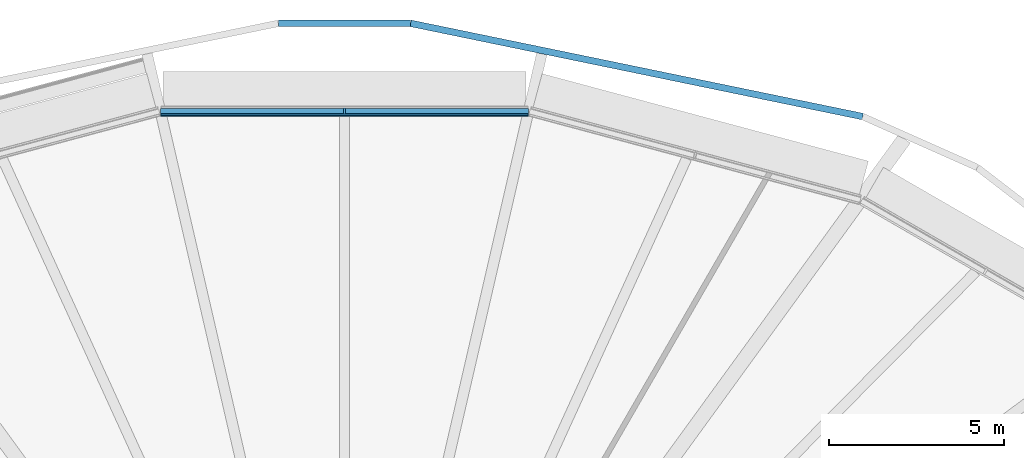
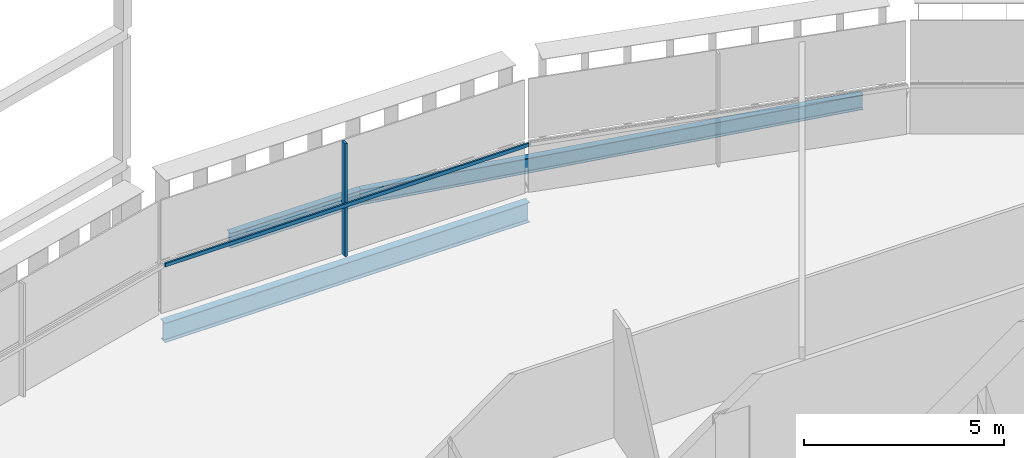
# One storey, part 7 of 20: 3 beams, 2 members, 1 element without a shape of its own.
"""IFC4 building model written with IfcOpenShell, lengths in metres."""

import ifcopenshell
import ifcopenshell.guid

model = None  # the IFC model being written
_history = None  # IfcOwnerHistory: only IFC2X3 demands one
_inside = {}  # id of a spatial element -> (the spatial element, [elements in it])
_under = {}  # id of a project, library or spatial element -> (it, [spatial elements below it])
_declared = {}  # id of a project -> (the project, [libraries it declares])
_typed = {}  # id of a type object -> (the type object, [elements of that type])
_made_of = {}  # id of a material, layer set ... -> (it, [elements and type objects made of it])


def new_model(schema):
    """Start an empty IFC model of exactly this schema.

    Asked for "IFC4X3", IfcOpenShell would pick the latest addendum, in which some entities
    have other attributes; the version numbers below select the first issue.
    IFC2X3 requires an IfcOwnerHistory on every rooted entity: one is made here for all.
    """
    global model, _history
    if schema == "IFC4X3":
        model = ifcopenshell.file(schema_version=(4, 3, 0, 0))
    else:
        model = ifcopenshell.file(schema=schema)
    _inside.clear()
    _under.clear()
    _declared.clear()
    _typed.clear()
    _made_of.clear()
    _history = None
    if model.schema == "IFC2X3":
        org = make("IfcOrganization", Name="unknown")
        user = make(
            "IfcPersonAndOrganization",
            ThePerson=make("IfcPerson", FamilyName="unknown"),
            TheOrganization=org,
        )
        app = make(
            "IfcApplication",
            ApplicationDeveloper=org,
            Version="unknown",
            ApplicationFullName="unknown",
            ApplicationIdentifier="unknown",
        )
        _history = make(
            "IfcOwnerHistory",
            OwningUser=user,
            OwningApplication=app,
            ChangeAction="ADDED",
            CreationDate=0,
        )
    return model


def make(cls, **values):
    """One entity of the class cls with the attributes given. An attribute that is None is left unset."""
    return model.create_entity(
        cls, **{name: value for name, value in values.items() if value is not None}
    )


def rooted(cls, **values):
    """An entity with a GlobalId (a new one), such as an element, a storey or a relation."""
    return make(cls, GlobalId=ifcopenshell.guid.new(), OwnerHistory=_history, **values)


def si_unit(unit_type, name, prefix=None):
    """IfcSIUnit, for example si_unit("LENGTHUNIT", "METRE", prefix="MILLI")."""
    return make("IfcSIUnit", UnitType=unit_type, Prefix=prefix, Name=name)


def assignment(units):
    """IfcUnitAssignment: the units of a project."""
    return None if units is None else make("IfcUnitAssignment", Units=units)


def point(xyz):
    """IfcCartesianPoint."""
    return None if xyz is None else make("IfcCartesianPoint", Coordinates=xyz)


def direction(xyz):
    """IfcDirection."""
    return None if xyz is None else make("IfcDirection", DirectionRatios=xyz)


def frame(location, z_axis=None, x_axis=None):
    """IfcAxis2Placement3D, a coordinate frame: its origin and axes. An axis left out is left unset."""
    return make(
        "IfcAxis2Placement3D",
        Location=point(location),
        Axis=direction(z_axis),
        RefDirection=direction(x_axis),
    )


def frame_2d(location, x_axis=None):
    """IfcAxis2Placement2D, a coordinate frame in the plane: its origin and x axis."""
    return make(
        "IfcAxis2Placement2D", Location=point(location), RefDirection=direction(x_axis)
    )


def origin():
    """The frame at (0, 0, 0) with its axes left unset."""
    return frame((0.0, 0.0, 0.0))


def origin_2d():
    """The frame at (0, 0) in the plane with its x axis left unset."""
    return frame_2d((0.0, 0.0))


def place(relative_to, where):
    """IfcLocalPlacement: puts the frame where relative to a parent placement (None: the world)."""
    return make(
        "IfcLocalPlacement", PlacementRelTo=relative_to, RelativePlacement=where
    )


def context(
    kind, dimensions, precision=None, world=None, true_north=None, identifier=None
):
    """IfcGeometricRepresentationContext, for example the 3D "Model" context."""
    return make(
        "IfcGeometricRepresentationContext",
        ContextIdentifier=identifier,
        ContextType=kind,
        CoordinateSpaceDimension=dimensions,
        Precision=precision,
        WorldCoordinateSystem=world,
        TrueNorth=true_north,
    )


def subcontext(parent, identifier, kind, view, scale=None):
    """IfcGeometricRepresentationSubContext, for example "Body" below "Model"."""
    return make(
        "IfcGeometricRepresentationSubContext",
        ContextIdentifier=identifier,
        ContextType=kind,
        ParentContext=parent,
        TargetScale=scale,
        TargetView=view,
    )


def project(units=None, contexts=None):
    """IfcProject with its units and contexts."""
    return rooted(
        "IfcProject",
        Name="project",
        RepresentationContexts=contexts,
        UnitsInContext=assignment(units),
    )


def spatial(cls, under=None, at=None, **own):
    """A site, building, storey or space (cls), placed at a placement, below another one or the project."""
    s = rooted(cls, ObjectPlacement=at, **own)
    if under is not None:
        _under.setdefault(under.id(), (under, []))[1].append(s)
    return s


def profile(cls, at=None, kind="AREA", **sizes):
    """A parametric profile (cls). Its sizes go by their IFC names, for example OverallWidth=200.0."""
    return make(cls, ProfileType=kind, Position=at, **sizes)


def rectangle(**sizes):
    """IfcRectangleProfileDef."""
    return profile("IfcRectangleProfileDef", **sizes)


def i_section(**sizes):
    """IfcIShapeProfileDef."""
    return profile("IfcIShapeProfileDef", **sizes)


def extrude(swept, where, along, depth):
    """IfcExtrudedAreaSolid: the profile swept, set in the frame where, extruded along a direction by depth."""
    return make(
        "IfcExtrudedAreaSolid",
        SweptArea=swept,
        Position=where,
        ExtrudedDirection=direction(along),
        Depth=depth,
    )


def shape(context_of_items, identifier, shape_type, items):
    """IfcShapeRepresentation: the items that make up one representation, for example the "Body"."""
    return make(
        "IfcShapeRepresentation",
        ContextOfItems=context_of_items,
        RepresentationIdentifier=identifier,
        RepresentationType=shape_type,
        Items=items,
    )


def material(Name=None, Category=None):
    """IfcMaterial."""
    return make("IfcMaterial", Name=Name, Category=Category)


def layer(
    of_material, thickness, ventilated=None, Name=None, Category=None, Priority=None
):
    """IfcMaterialLayer: one layer of a wall or slab, of a material (None: an air gap)."""
    return make(
        "IfcMaterialLayer",
        Material=of_material,
        LayerThickness=thickness,
        IsVentilated=ventilated,
        Name=Name,
        Category=Category,
        Priority=Priority,
    )


def layer_set(layers, Name=None):
    """IfcMaterialLayerSet."""
    return make("IfcMaterialLayerSet", MaterialLayers=layers, LayerSetName=Name)


def material_profile(
    of_material, cross_section, Name=None, Category=None, Priority=None
):
    """IfcMaterialProfile: a cross section and its material."""
    return make(
        "IfcMaterialProfile",
        Name=Name,
        Material=of_material,
        Profile=cross_section,
        Priority=Priority,
        Category=Category,
    )


def profile_set(profiles, Name=None, composite=None):
    """IfcMaterialProfileSet."""
    return make(
        "IfcMaterialProfileSet",
        Name=Name,
        MaterialProfiles=profiles,
        CompositeProfile=composite,
    )


def made_of(thing, what):
    """Note that an element or type object is made of a material, layer set ...; save() writes the relation."""
    if what is not None:
        _made_of.setdefault(what.id(), (what, []))[1].append(thing)
    return thing


def type_object(cls, material=None, **own):
    """A type object (cls), such as IfcWallType, which elements share."""
    return made_of(rooted(cls, **own), material)


def element(
    cls,
    number,
    at=None,
    inside=None,
    cuts=None,
    type_object=None,
    material=None,
    context=None,
    identifier="Body",
    shape_type=None,
    held_by="IfcProductDefinitionShape",
    body=None,
    shapes=None,
    **own,
):
    """One element of the class cls, such as IfcWall. Its Tag is "e" and its number.

    at: its placement. inside: the storey or other place that contains it. cuts: it is an
    opening in that element (IfcRelVoidsElement). A single representation is given by context,
    identifier, shape_type and body (its items); several are given by shapes. held_by: the class
    of the entity that holds the representations. save() writes the other relations.
    """
    e = rooted(cls, Tag="e%d" % number, ObjectPlacement=at, **own)
    if body is not None:
        shapes = [shape(context, identifier, shape_type, body)]
    if shapes is not None:
        e.Representation = make(held_by, Representations=shapes)
    if inside is not None:
        _inside.setdefault(inside.id(), (inside, []))[1].append(e)
    if cuts is not None:
        rooted(
            "IfcRelVoidsElement", RelatingBuildingElement=cuts, RelatedOpeningElement=e
        )
    if type_object is not None:
        _typed.setdefault(type_object.id(), (type_object, []))[1].append(e)
    return made_of(e, material)


def aggregate(whole, parts):
    """IfcRelAggregates: a whole, such as a stair, and the parts it consists of."""
    return rooted("IfcRelAggregates", RelatingObject=whole, RelatedObjects=parts)


def save(model, path):
    """Write the relations noted so far, then the file.

    IfcRelAggregates (storeys below a building ...), IfcRelContainedInSpatialStructure (elements
    in a storey), IfcRelDefinesByType, IfcRelAssociatesMaterial and IfcRelDeclares: one each for
    every whole, place, type object, material and project.
    """
    for whole, parts in _under.values():
        aggregate(whole, parts)
    for where, things in _inside.values():
        rooted(
            "IfcRelContainedInSpatialStructure",
            RelatedElements=things,
            RelatingStructure=where,
        )
    for kind, things in _typed.values():
        rooted("IfcRelDefinesByType", RelatedObjects=things, RelatingType=kind)
    for what, things in _made_of.values():
        rooted("IfcRelAssociatesMaterial", RelatedObjects=things, RelatingMaterial=what)
    for by, libraries in _declared.values():
        rooted("IfcRelDeclares", RelatingContext=by, RelatedDefinitions=libraries)
    model.write(path)


model = new_model("IFC4")

# Units and contexts
model_context = context("Model", 3, precision=1e-05, world=origin(), true_north=direction((0.0, 1.0)))
body_context = subcontext(model_context, "Body", "Model", "MODEL_VIEW")
ifc_project = project(units=[si_unit("LENGTHUNIT", "METRE"), si_unit("AREAUNIT", "SQUARE_METRE"), si_unit("VOLUMEUNIT", "CUBIC_METRE"), si_unit("PLANEANGLEUNIT", "RADIAN"), si_unit("MASSUNIT", "GRAM", prefix="KILO")], contexts=[model_context])

# Site, building, storey
site_placement = place(None, origin())
site = spatial("IfcSite", under=ifc_project, at=site_placement, CompositionType="ELEMENT")
building_placement = place(site_placement, origin())
building = spatial("IfcBuilding", under=site, at=building_placement, Name="Sahrelin Media Tower", CompositionType="ELEMENT")
storey_placement = place(building_placement, frame((0.0, 0.0, 213.60009765625)))
storey = spatial("IfcBuildingStorey", under=building, at=storey_placement, Name="L45", CompositionType="ELEMENT", Elevation=213.60009765625)

# Beam
ifc_material_1 = material(Name="Steel S355", Category="steel")
ifc_material_profile_1 = material_profile(ifc_material_1, i_section(OverallWidth=0.2275390625, OverallDepth=0.6025390625, WebThickness=0.010498046875, FlangeThickness=0.014892578125, FilletRadius=0.0126953125, at=origin_2d()), Name="UB 610x229x101")
ifc_profile_set_1 = profile_set([ifc_material_profile_1], Name="Steel S355")
beam_type_1 = type_object("IfcBeamType", Name="Edge beam EB7", PredefinedType="BEAM", material=ifc_profile_set_1)
beam_1_placement = place(storey_placement, frame((-5.26806640625, 22.832275390625, -0.451416015625), z_axis=(1.0, 0.0, 0.0), x_axis=(0.0, 1.0, 0.0)))
element("IfcBeam", 1, at=beam_1_placement, inside=storey, type_object=beam_type_1, Name="Edge beam L45-19", PredefinedType="BEAM", context=body_context, shape_type="SweptSolid", body=[
    extrude(i_section(OverallWidth=0.2275390625, OverallDepth=0.6025390625, WebThickness=0.010498046875, FlangeThickness=0.014892578125, FilletRadius=0.0126953125, at=origin_2d()), origin(), (0.0, 0.0, 1.0), 10.5361328125),
])

# Curtain wall, member
ifc_material_2 = material(Name="Champagne anodised aluminium 6063-T6", Category="aluminium")
ifc_layer = layer(ifc_material_2, 0.14990234375)
ifc_layer_set = layer_set([ifc_layer], Name="Tower ribbon curtain wall")
curtain_wall_type = type_object("IfcCurtainWallType", Name="Tower ribbon curtain wall", PredefinedType="NOTDEFINED", material=ifc_layer_set)
curtain_wall_placement = place(storey_placement, frame((0.0, 22.982177734375, 0.0), z_axis=(0.0, 0.0, 1.0), x_axis=(1.0, 0.0, 0.0)))
curtain_wall = element("IfcCurtainWall", 2, at=curtain_wall_placement, inside=storey, type_object=curtain_wall_type, Name="L45:CW:L45-06", PredefinedType="NOTDEFINED")
ifc_material_profile_2 = material_profile(ifc_material_2, rectangle(XDim=0.06005859375, YDim=0.175048828125, at=origin_2d()), Name="Mullion 60x175")
ifc_profile_set_2 = profile_set([ifc_material_profile_2], Name="Champagne anodised aluminium 6063-T6")
member_type_1 = type_object("IfcMemberType", Name="Mullion 60x175 CW1B", PredefinedType="MULLION", material=ifc_profile_set_2)
member_1_placement = place(storey_placement, frame((0.0, 22.874755859375, 0.0), z_axis=(0.0, 0.0, 1.0), x_axis=(-1.0, 0.0, 0.0)))
member_1 = element("IfcMember", 3, at=member_1_placement, type_object=member_type_1, Name="L45:CWM:L45-06", PredefinedType="MULLION", context=body_context, shape_type="SweptSolid", body=[
    extrude(rectangle(XDim=0.06005859375, YDim=0.175048828125, at=origin_2d()), origin(), (0.0, 0.0, 1.0), 3.448486328125),
])

# Beams
ifc_material_profile_3 = material_profile(ifc_material_1, i_section(OverallWidth=0.1904296875, OverallDepth=0.45703125, WebThickness=0.009033203125, FlangeThickness=0.014404296875, FilletRadius=0.01025390625, at=origin_2d()), Name="UB 457x191x74")
ifc_profile_set_3 = profile_set([ifc_material_profile_3], Name="Steel S355")
beam_type_2 = type_object("IfcBeamType", Name="Tie chord TC5", PredefinedType="BEAM", material=ifc_profile_set_3)
beam_2_placement = place(storey_placement, frame((14.848876953125, 22.71142578125, -0.378662109375), z_axis=(-0.979386755143, 0.201994019341, 0.0), x_axis=(-0.201994019341, -0.979386755143, 0.0)))
element("IfcBeam", 4, at=beam_2_placement, inside=storey, type_object=beam_type_2, Name="Tie chord L45-05", PredefinedType="BEAM", context=body_context, shape_type="SweptSolid", body=[
    extrude(i_section(OverallWidth=0.1904296875, OverallDepth=0.45703125, WebThickness=0.009033203125, FlangeThickness=0.014404296875, FilletRadius=0.01025390625, at=origin_2d()), origin(), (0.0, 0.0, 1.0), 13.2275390625),
])
beam_3_placement = place(storey_placement, frame((1.89404296875, 25.38330078125, -0.378662109375), z_axis=(-1.0, 0.0, 0.0), x_axis=(0.0, -1.0, 0.0)))
element("IfcBeam", 5, at=beam_3_placement, inside=storey, type_object=beam_type_2, Name="Tie chord L45-06", PredefinedType="BEAM", context=body_context, shape_type="SweptSolid", body=[
    extrude(i_section(OverallWidth=0.1904296875, OverallDepth=0.45703125, WebThickness=0.009033203125, FlangeThickness=0.014404296875, FilletRadius=0.01025390625, at=origin_2d()), origin(), (0.0, 0.0, 1.0), 3.7880859375),
])

# Member
ifc_material_profile_4 = material_profile(ifc_material_2, rectangle(XDim=0.050048828125, YDim=0.110107421875, at=origin_2d()), Name="Transom 50x110")
ifc_profile_set_4 = profile_set([ifc_material_profile_4], Name="Champagne anodised aluminium 6063-T6")
member_type_2 = type_object("IfcMemberType", Name="Transom 50x110 CW1B", PredefinedType="USERDEFINED", material=ifc_profile_set_4)
member_2_placement = place(storey_placement, frame((5.25244140625, 22.76220703125, 1.599853515625), z_axis=(-1.0, 0.0, 0.0), x_axis=(0.0, -1.0, 0.0)))
member_2 = element("IfcMember", 6, at=member_2_placement, type_object=member_type_2, Name="L45:CWT:L45-06", ObjectType="TRANSOM", PredefinedType="USERDEFINED", context=body_context, shape_type="SweptSolid", body=[
    extrude(rectangle(XDim=0.050048828125, YDim=0.110107421875, at=origin_2d()), origin(), (0.0, 0.0, 1.0), 10.5048828125),
])

aggregate(curtain_wall, [member_1, member_2])

save(model, "model.ifc")
